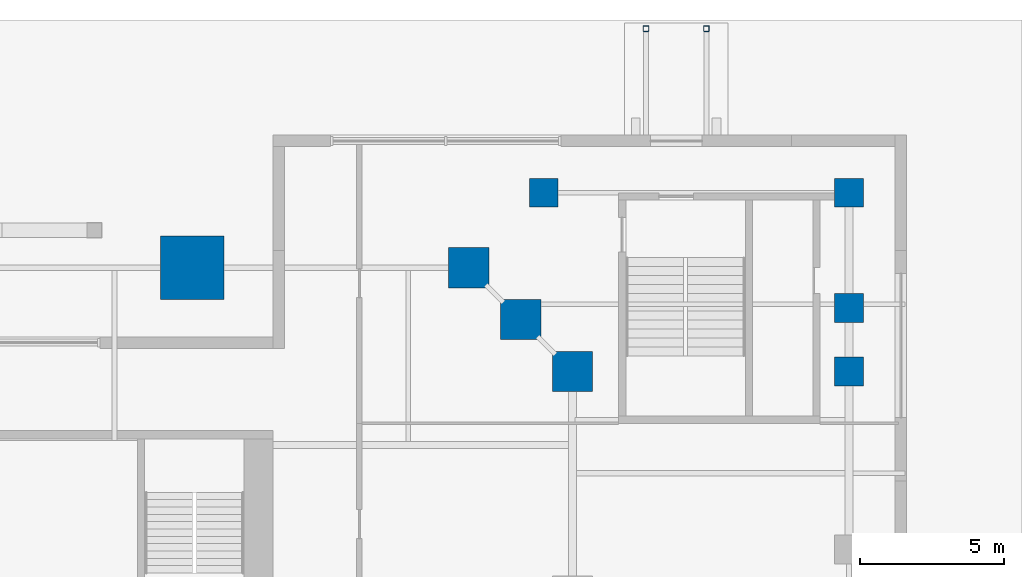
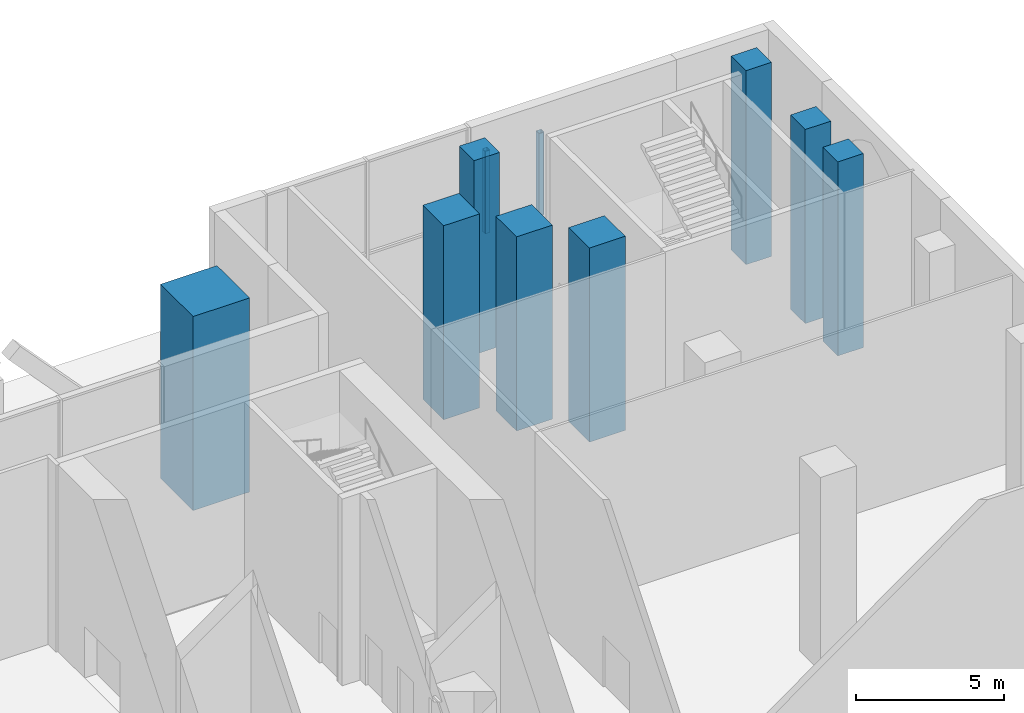
# One storey, part 13 of 38: 10 columns.
"""IFC4 building model written with IfcOpenShell, lengths in metres."""

import ifcopenshell
import ifcopenshell.guid

model = None  # the IFC model being written
_history = None  # IfcOwnerHistory: only IFC2X3 demands one
_inside = {}  # id of a spatial element -> (the spatial element, [elements in it])
_under = {}  # id of a project, library or spatial element -> (it, [spatial elements below it])
_declared = {}  # id of a project -> (the project, [libraries it declares])
_typed = {}  # id of a type object -> (the type object, [elements of that type])
_made_of = {}  # id of a material, layer set ... -> (it, [elements and type objects made of it])


def new_model(schema):
    """Start an empty IFC model of exactly this schema.

    Asked for "IFC4X3", IfcOpenShell would pick the latest addendum, in which some entities
    have other attributes; the version numbers below select the first issue.
    IFC2X3 requires an IfcOwnerHistory on every rooted entity: one is made here for all.
    """
    global model, _history
    if schema == "IFC4X3":
        model = ifcopenshell.file(schema_version=(4, 3, 0, 0))
    else:
        model = ifcopenshell.file(schema=schema)
    _inside.clear()
    _under.clear()
    _declared.clear()
    _typed.clear()
    _made_of.clear()
    _history = None
    if model.schema == "IFC2X3":
        org = make("IfcOrganization", Name="unknown")
        user = make(
            "IfcPersonAndOrganization",
            ThePerson=make("IfcPerson", FamilyName="unknown"),
            TheOrganization=org,
        )
        app = make(
            "IfcApplication",
            ApplicationDeveloper=org,
            Version="unknown",
            ApplicationFullName="unknown",
            ApplicationIdentifier="unknown",
        )
        _history = make(
            "IfcOwnerHistory",
            OwningUser=user,
            OwningApplication=app,
            ChangeAction="ADDED",
            CreationDate=0,
        )
    return model


def make(cls, **values):
    """One entity of the class cls with the attributes given. An attribute that is None is left unset."""
    return model.create_entity(
        cls, **{name: value for name, value in values.items() if value is not None}
    )


def rooted(cls, **values):
    """An entity with a GlobalId (a new one), such as an element, a storey or a relation."""
    return make(cls, GlobalId=ifcopenshell.guid.new(), OwnerHistory=_history, **values)


def si_unit(unit_type, name, prefix=None):
    """IfcSIUnit, for example si_unit("LENGTHUNIT", "METRE", prefix="MILLI")."""
    return make("IfcSIUnit", UnitType=unit_type, Prefix=prefix, Name=name)


def assignment(units):
    """IfcUnitAssignment: the units of a project."""
    return None if units is None else make("IfcUnitAssignment", Units=units)


def point(xyz):
    """IfcCartesianPoint."""
    return None if xyz is None else make("IfcCartesianPoint", Coordinates=xyz)


def direction(xyz):
    """IfcDirection."""
    return None if xyz is None else make("IfcDirection", DirectionRatios=xyz)


def frame(location, z_axis=None, x_axis=None):
    """IfcAxis2Placement3D, a coordinate frame: its origin and axes. An axis left out is left unset."""
    return make(
        "IfcAxis2Placement3D",
        Location=point(location),
        Axis=direction(z_axis),
        RefDirection=direction(x_axis),
    )


def frame_2d(location, x_axis=None):
    """IfcAxis2Placement2D, a coordinate frame in the plane: its origin and x axis."""
    return make(
        "IfcAxis2Placement2D", Location=point(location), RefDirection=direction(x_axis)
    )


def origin():
    """The frame at (0, 0, 0) with its axes left unset."""
    return frame((0.0, 0.0, 0.0))


def origin_2d():
    """The frame at (0, 0) in the plane with its x axis left unset."""
    return frame_2d((0.0, 0.0))


def place(relative_to, where):
    """IfcLocalPlacement: puts the frame where relative to a parent placement (None: the world)."""
    return make(
        "IfcLocalPlacement", PlacementRelTo=relative_to, RelativePlacement=where
    )


def context(
    kind, dimensions, precision=None, world=None, true_north=None, identifier=None
):
    """IfcGeometricRepresentationContext, for example the 3D "Model" context."""
    return make(
        "IfcGeometricRepresentationContext",
        ContextIdentifier=identifier,
        ContextType=kind,
        CoordinateSpaceDimension=dimensions,
        Precision=precision,
        WorldCoordinateSystem=world,
        TrueNorth=true_north,
    )


def subcontext(parent, identifier, kind, view, scale=None):
    """IfcGeometricRepresentationSubContext, for example "Body" below "Model"."""
    return make(
        "IfcGeometricRepresentationSubContext",
        ContextIdentifier=identifier,
        ContextType=kind,
        ParentContext=parent,
        TargetScale=scale,
        TargetView=view,
    )


def project(units=None, contexts=None):
    """IfcProject with its units and contexts."""
    return rooted(
        "IfcProject",
        Name="project",
        RepresentationContexts=contexts,
        UnitsInContext=assignment(units),
    )


def spatial(cls, under=None, at=None, **own):
    """A site, building, storey or space (cls), placed at a placement, below another one or the project."""
    s = rooted(cls, ObjectPlacement=at, **own)
    if under is not None:
        _under.setdefault(under.id(), (under, []))[1].append(s)
    return s


def profile(cls, at=None, kind="AREA", **sizes):
    """A parametric profile (cls). Its sizes go by their IFC names, for example OverallWidth=200.0."""
    return make(cls, ProfileType=kind, Position=at, **sizes)


def rectangle(**sizes):
    """IfcRectangleProfileDef."""
    return profile("IfcRectangleProfileDef", **sizes)


def hollow_rectangle(**sizes):
    """IfcRectangleHollowProfileDef."""
    return profile("IfcRectangleHollowProfileDef", **sizes)


def extrude(swept, where, along, depth):
    """IfcExtrudedAreaSolid: the profile swept, set in the frame where, extruded along a direction by depth."""
    return make(
        "IfcExtrudedAreaSolid",
        SweptArea=swept,
        Position=where,
        ExtrudedDirection=direction(along),
        Depth=depth,
    )


def shape(context_of_items, identifier, shape_type, items):
    """IfcShapeRepresentation: the items that make up one representation, for example the "Body"."""
    return make(
        "IfcShapeRepresentation",
        ContextOfItems=context_of_items,
        RepresentationIdentifier=identifier,
        RepresentationType=shape_type,
        Items=items,
    )


def material(Name=None, Category=None):
    """IfcMaterial."""
    return make("IfcMaterial", Name=Name, Category=Category)


def material_profile(
    of_material, cross_section, Name=None, Category=None, Priority=None
):
    """IfcMaterialProfile: a cross section and its material."""
    return make(
        "IfcMaterialProfile",
        Name=Name,
        Material=of_material,
        Profile=cross_section,
        Priority=Priority,
        Category=Category,
    )


def profile_set(profiles, Name=None, composite=None):
    """IfcMaterialProfileSet."""
    return make(
        "IfcMaterialProfileSet",
        Name=Name,
        MaterialProfiles=profiles,
        CompositeProfile=composite,
    )


def made_of(thing, what):
    """Note that an element or type object is made of a material, layer set ...; save() writes the relation."""
    if what is not None:
        _made_of.setdefault(what.id(), (what, []))[1].append(thing)
    return thing


def type_object(cls, material=None, **own):
    """A type object (cls), such as IfcWallType, which elements share."""
    return made_of(rooted(cls, **own), material)


def element(
    cls,
    number,
    at=None,
    inside=None,
    cuts=None,
    type_object=None,
    material=None,
    context=None,
    identifier="Body",
    shape_type=None,
    held_by="IfcProductDefinitionShape",
    body=None,
    shapes=None,
    **own,
):
    """One element of the class cls, such as IfcWall. Its Tag is "e" and its number.

    at: its placement. inside: the storey or other place that contains it. cuts: it is an
    opening in that element (IfcRelVoidsElement). A single representation is given by context,
    identifier, shape_type and body (its items); several are given by shapes. held_by: the class
    of the entity that holds the representations. save() writes the other relations.
    """
    e = rooted(cls, Tag="e%d" % number, ObjectPlacement=at, **own)
    if body is not None:
        shapes = [shape(context, identifier, shape_type, body)]
    if shapes is not None:
        e.Representation = make(held_by, Representations=shapes)
    if inside is not None:
        _inside.setdefault(inside.id(), (inside, []))[1].append(e)
    if cuts is not None:
        rooted(
            "IfcRelVoidsElement", RelatingBuildingElement=cuts, RelatedOpeningElement=e
        )
    if type_object is not None:
        _typed.setdefault(type_object.id(), (type_object, []))[1].append(e)
    return made_of(e, material)


def aggregate(whole, parts):
    """IfcRelAggregates: a whole, such as a stair, and the parts it consists of."""
    return rooted("IfcRelAggregates", RelatingObject=whole, RelatedObjects=parts)


def save(model, path):
    """Write the relations noted so far, then the file.

    IfcRelAggregates (storeys below a building ...), IfcRelContainedInSpatialStructure (elements
    in a storey), IfcRelDefinesByType, IfcRelAssociatesMaterial and IfcRelDeclares: one each for
    every whole, place, type object, material and project.
    """
    for whole, parts in _under.values():
        aggregate(whole, parts)
    for where, things in _inside.values():
        rooted(
            "IfcRelContainedInSpatialStructure",
            RelatedElements=things,
            RelatingStructure=where,
        )
    for kind, things in _typed.values():
        rooted("IfcRelDefinesByType", RelatedObjects=things, RelatingType=kind)
    for what, things in _made_of.values():
        rooted("IfcRelAssociatesMaterial", RelatedObjects=things, RelatingMaterial=what)
    for by, libraries in _declared.values():
        rooted("IfcRelDeclares", RelatingContext=by, RelatedDefinitions=libraries)
    model.write(path)


model = new_model("IFC4")

# Units and contexts
model_context = context("Model", 3, precision=1e-05, world=origin(), true_north=direction((0.0, 1.0)))
body_context = subcontext(model_context, "Body", "Model", "MODEL_VIEW")
ifc_project = project(units=[si_unit("LENGTHUNIT", "METRE"), si_unit("AREAUNIT", "SQUARE_METRE"), si_unit("VOLUMEUNIT", "CUBIC_METRE"), si_unit("PLANEANGLEUNIT", "RADIAN"), si_unit("MASSUNIT", "GRAM", prefix="KILO")], contexts=[model_context])

# Site, building, storey
site_placement = place(None, origin())
site = spatial("IfcSite", under=ifc_project, at=site_placement, CompositionType="ELEMENT")
building_placement = place(site_placement, origin())
building = spatial("IfcBuilding", under=site, at=building_placement, Name="Ogive Exchange Tower", CompositionType="ELEMENT")
storey_placement = place(building_placement, origin())
storey = spatial("IfcBuildingStorey", under=building, at=storey_placement, Name="L00", CompositionType="ELEMENT", Elevation=0.0)

# Columns
ifc_material_1 = material(Name="Steel ASTM A1085 Gr A", Category="steel")
ifc_material_profile_1 = material_profile(ifc_material_1, hollow_rectangle(XDim=0.202880859375, YDim=0.202880859375, WallThickness=0.0126953125, InnerFilletRadius=0.0126953125, OuterFilletRadius=0.025390625, at=origin_2d()), Name="HSS203.2x203.2x12.7")
ifc_profile_set_1 = profile_set([ifc_material_profile_1], Name="Steel ASTM A1085 Gr A")
column_type_1 = type_object("IfcColumnType", Name="Canopy post HSS203.2x203.2x12.7", PredefinedType="COLUMN", material=ifc_profile_set_1)
for number, where, z_axis, x_axis, name in (
    (1, (37.050048828125, 39.699951171875, -0.10009765625), (0.0, 0.0, 1.0), (-1.0, 0.0, 0.0), "Canopy post"),
    (2, (34.949951171875, 39.699951171875, -0.10009765625), (0.0, 0.0, 1.0), (-1.0, 0.0, 0.0), "Canopy post"),
):
    element("IfcColumn", number, at=place(storey_placement, frame(where, z_axis=z_axis, x_axis=x_axis)), inside=storey, type_object=column_type_1, Name=name, PredefinedType="COLUMN", context=body_context, shape_type="SweptSolid", body=[
        extrude(hollow_rectangle(XDim=0.202880859375, YDim=0.202880859375, WallThickness=0.0126953125, InnerFilletRadius=0.0126953125, OuterFilletRadius=0.025390625, at=origin_2d()), origin(), (0.0, 0.0, 1.0), 3.400146484375),
    ])
ifc_material_2 = material(Name="Concrete C70/85", Category="concrete")
ifc_material_profile_2 = material_profile(ifc_material_2, rectangle(XDim=1.0, YDim=1.0, at=origin_2d()), Name="RC 1000x1000")
ifc_profile_set_2 = profile_set([ifc_material_profile_2], Name="Concrete C70/85")
column_type_2 = type_object("IfcColumnType", Name="RC column 1000x1000", PredefinedType="COLUMN", material=ifc_profile_set_2)
for number, where, z_axis, x_axis, name in (
    (3, (42.0, 27.800048828125, 0.0), (0.0, 0.0, 1.0), (1.0, 0.0, 0.0), "Podium column"),
    (4, (42.0, 30.0, 0.0), (0.0, 0.0, 1.0), (1.0, 0.0, 0.0), "Podium column"),
    (5, (31.39990234375, 34.0, 0.0), (0.0, 0.0, 1.0), (1.0, 0.0, 0.0), "Podium column"),
    (6, (42.0, 34.0, 0.0), (0.0, 0.0, 1.0), (1.0, 0.0, 0.0), "Podium column"),
):
    element("IfcColumn", number, at=place(storey_placement, frame(where, z_axis=z_axis, x_axis=x_axis)), inside=storey, type_object=column_type_2, Name=name, PredefinedType="COLUMN", context=body_context, shape_type="SweptSolid", body=[
        extrude(rectangle(XDim=1.0, YDim=1.0, at=origin_2d()), origin(), (0.0, 0.0, 1.0), 8.0),
    ])
ifc_material_profile_3 = material_profile(ifc_material_2, rectangle(XDim=1.39990234375, YDim=1.39990234375, at=origin_2d()), Name="RC 1400x1400")
ifc_profile_set_3 = profile_set([ifc_material_profile_3], Name="Concrete C70/85")
column_type_3 = type_object("IfcColumnType", Name="RC column 1400x1400", PredefinedType="COLUMN", material=ifc_profile_set_3)
for number, where, z_axis, x_axis, name in (
    (7, (32.39990234375, 27.800048828125, 0.0), (0.0, 0.0, 1.0), (1.0, 0.0, 0.0), "Leg column"),
    (8, (30.60009765625, 29.60009765625, 0.0), (0.0, 0.0, 1.0), (1.0, 0.0, 0.0), "Leg column"),
    (9, (28.800048828125, 31.39990234375, 0.0), (0.0, 0.0, 1.0), (1.0, 0.0, 0.0), "Leg column"),
):
    element("IfcColumn", number, at=place(storey_placement, frame(where, z_axis=z_axis, x_axis=x_axis)), inside=storey, type_object=column_type_3, Name=name, PredefinedType="COLUMN", context=body_context, shape_type="SweptSolid", body=[
        extrude(rectangle(XDim=1.39990234375, YDim=1.39990234375, at=origin_2d()), origin(), (0.0, 0.0, 1.0), 8.0),
    ])
ifc_material_profile_4 = material_profile(ifc_material_2, rectangle(XDim=2.199951171875, YDim=2.199951171875, at=origin_2d()), Name="RC 2200x2200")
ifc_profile_set_4 = profile_set([ifc_material_profile_4], Name="Concrete C70/85")
column_type_4 = type_object("IfcColumnType", Name="RC pier 2200x2200", PredefinedType="COLUMN", material=ifc_profile_set_4)
column_placement = place(storey_placement, frame((19.199951171875, 31.39990234375, 0.0), z_axis=(0.0, 0.0, 1.0), x_axis=(1.0, 0.0, 0.0)))
element("IfcColumn", 10, at=column_placement, inside=storey, type_object=column_type_4, Name="Entrance pier", PredefinedType="COLUMN", context=body_context, shape_type="SweptSolid", body=[
    extrude(rectangle(XDim=2.199951171875, YDim=2.199951171875, at=origin_2d()), origin(), (0.0, 0.0, 1.0), 8.0),
])

save(model, "model.ifc")
